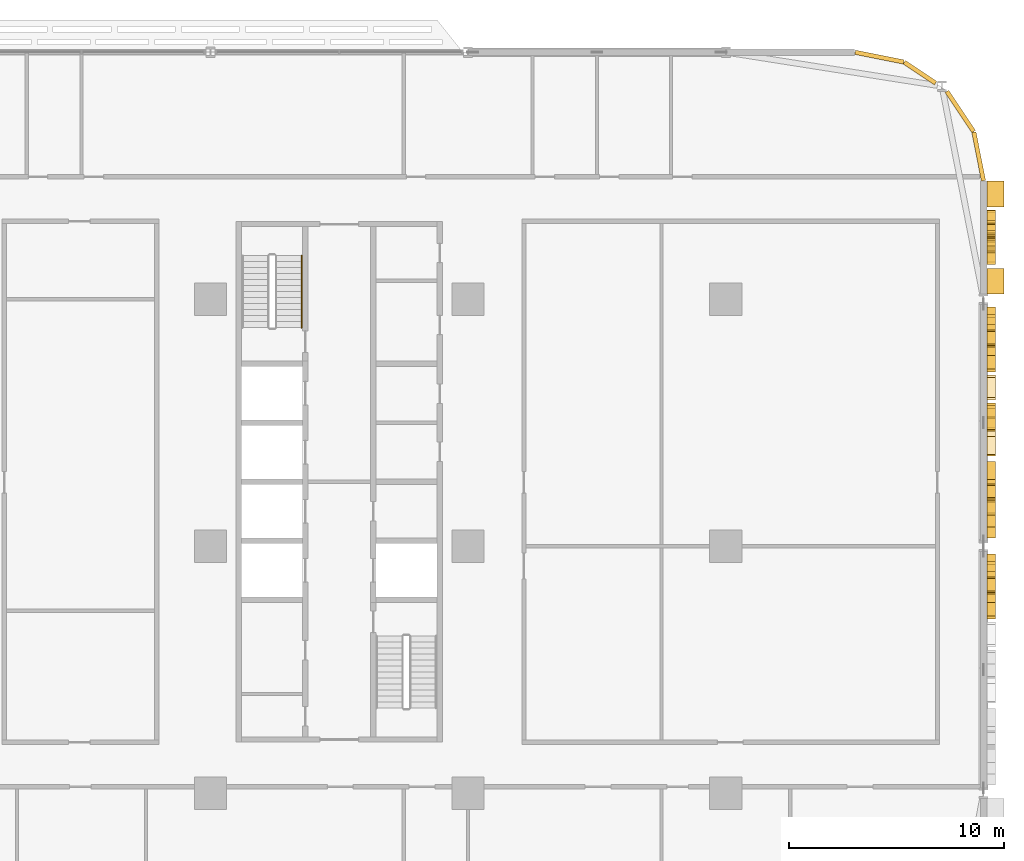
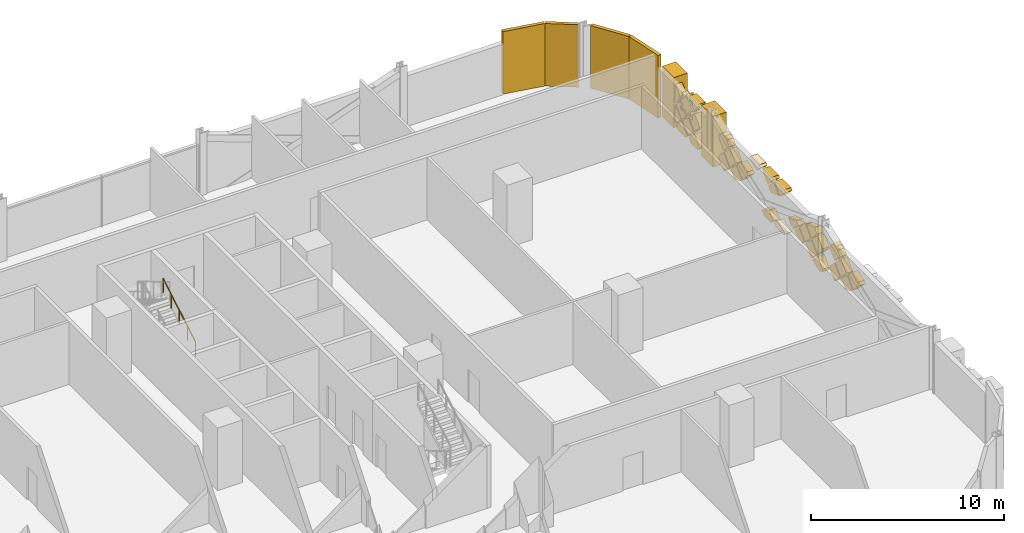
# One storey, part 29 of 29: 38 coverings, 1 railing.
"""IFC4 building model written with IfcOpenShell, lengths in metres."""

from ifc_helpers import new_model, si_unit, direction, frame, origin, origin_2d, place, context, subcontext, project, spatial, polyline, rectangle, circle, outline, extrude, material, layer, layer_set, type_object, element, save


model = new_model("IFC4")

# Units and contexts
model_context = context("Model", 3, precision=1e-05, world=origin(), true_north=direction((0.0, 1.0)))
body_context = subcontext(model_context, "Body", "Model", "MODEL_VIEW")
ifc_project = project(units=[si_unit("LENGTHUNIT", "METRE"), si_unit("AREAUNIT", "SQUARE_METRE"), si_unit("VOLUMEUNIT", "CUBIC_METRE"), si_unit("PLANEANGLEUNIT", "RADIAN"), si_unit("MASSUNIT", "GRAM", prefix="KILO")], contexts=[model_context])

# Site, building, storey
site_placement = place(None, origin())
site = spatial("IfcSite", under=ifc_project, at=site_placement, CompositionType="ELEMENT")
building_placement = place(site_placement, origin())
building = spatial("IfcBuilding", under=site, at=building_placement, Name="Mahtab Terrace Research Tower", CompositionType="ELEMENT")
storey_placement = place(building_placement, frame((0.0, 0.0, 71.800048828125)))
storey = spatial("IfcBuildingStorey", under=building, at=storey_placement, Name="L16", CompositionType="ELEMENT", Elevation=71.800048828125)

# Coverings
ifc_material_1 = material(Name="Black aluminium cladding panel", Category="aluminium")
ifc_layer_1 = layer(ifc_material_1, 0.199951171875)
ifc_layer_set_1 = layer_set([ifc_layer_1], Name="Black metal corner cladding 200")
covering_type_1 = type_object("IfcCoveringType", Name="Black metal corner cladding 200", PredefinedType="CLADDING", material=ifc_layer_set_1)
covering_1_placement = place(storey_placement, frame((52.911376953125, 20.2421875, 0.0), z_axis=(0.0, 0.0, 1.0), x_axis=(-0.555291490808, 0.831655794326, 0.0)))
element("IfcCovering", 1, at=covering_1_placement, inside=storey, type_object=covering_type_1, Name="Corner cladding L16 0", PredefinedType="CLADDING", context=body_context, shape_type="SweptSolid", body=[
    extrude(rectangle(XDim=2.235595703125, YDim=0.199951171875, at=origin_2d()), origin(), (0.0, 0.0, 1.0), 3.9599609375),
])
covering_2_placement = place(storey_placement, frame((51.0380859375, 22.047607421875, 0.0), z_axis=(0.0, 0.0, 1.0), x_axis=(-0.831655794326, 0.555291490808, 0.0)))
element("IfcCovering", 2, at=covering_2_placement, inside=storey, type_object=covering_type_1, Name="Corner cladding L16 1", PredefinedType="CLADDING", context=body_context, shape_type="SweptSolid", body=[
    extrude(rectangle(XDim=1.74462890625, YDim=0.199951171875, at=origin_2d()), origin(), (0.0, 0.0, 1.0), 3.9599609375),
])
for number, where, z_axis, x_axis, name in (
    (3, (49.14794921875, 22.771484375, 0.0), (0.0, 0.0, 1.0), (-0.980760981187, 0.195212442692, 0.0), "Corner cladding L16 2"),
    (4, (53.771484375, 18.14794921875, 0.0), (0.0, 0.0, 1.0), (-0.195212442692, 0.980760981187, 0.0), "Corner cladding L16 39"),
):
    element("IfcCovering", number, at=place(storey_placement, frame(where, z_axis=z_axis, x_axis=x_axis)), inside=storey, type_object=covering_type_1, Name=name, PredefinedType="CLADDING", context=body_context, shape_type="SweptSolid", body=[
        extrude(rectangle(XDim=2.30126953125, YDim=0.199951171875, at=origin_2d()), origin(), (0.0, 0.0, 1.0), 3.9599609375),
    ])
ifc_material_2 = material(Name="Bronze anodised aluminium", Category="aluminium")
ifc_layer_2 = layer(ifc_material_2, 0.39990234375)
ifc_layer_set_2 = layer_set([ifc_layer_2], Name="Mashrabiya relief panel 400")
covering_type_2 = type_object("IfcCoveringType", Name="Mashrabiya relief panel 400", PredefinedType="CLADDING", material=ifc_layer_set_2)
covering_3_placement = place(storey_placement, frame((54.14990234375, -2.23193359375, 1.64990234375), z_axis=(-1.0, 0.0, 0.0), x_axis=(0.0, -0.707255598772, -0.706957932274)))
element("IfcCovering", 5, at=covering_3_placement, inside=storey, type_object=covering_type_2, Name="Mashrabiya lattice cell L16 E36.14", PredefinedType="CLADDING", context=body_context, shape_type="SweptSolid", body=[
    extrude(outline(polyline([(0.0, 0.0), (0.8201817362875763, 0.0), (0.8205270032629295, 0.8201816636150915), (0.6195816236074143, 0.8202239590012534), (0.00011315105885600918, 0.5375806806248061), (0.0, 0.0)])), origin(), (0.0, 0.0, -1.0), 0.39990234375),
])
covering_4_placement = place(storey_placement, frame((54.14990234375, -2.741943359375, 1.0), z_axis=(-1.0, 0.0, 0.0), x_axis=(0.0, 0.707106781187, 0.707106781187)))
element("IfcCovering", 6, at=covering_4_placement, inside=storey, type_object=covering_type_2, Name="Mashrabiya lattice cell L16 E36.15", PredefinedType="CLADDING", context=body_context, shape_type="SweptSolid", body=[
    extrude(outline(polyline([(0.0, 0.0), (0.8200090846279543, 0.0), (0.820181718119455, 0.820181718119455), (0.25169963060790684, 0.8203543516109555), (0.0, 0.2672366448429628), (0.0, 0.0)])), origin(), (0.0, 0.0, -1.0), 0.39990234375),
])
covering_5_placement = place(storey_placement, frame((54.14990234375, -1.511962890625, 2.22998046875), z_axis=(-1.0, 0.0, 0.0), x_axis=(0.0, 0.707106781187, -0.707106781187)))
element("IfcCovering", 7, at=covering_5_placement, inside=storey, type_object=covering_type_2, Name="Mashrabiya lattice cell L16 E36.16", PredefinedType="CLADDING", context=body_context, shape_type="SweptSolid", body=[
    extrude(outline(polyline([(0.0, 0.0), (0.8203543516109556, 0.0), (0.820181718119455, 0.820181718119455), (0.0, 0.8203543516109556), (0.0, 0.0)])), origin(), (0.0, 0.0, -1.0), 0.39990234375),
])
covering_6_placement = place(storey_placement, frame((54.14990234375, -0.862060546875, 0.419921875), z_axis=(-1.0, 0.0, 0.0), x_axis=(0.0, -0.706957932274, 0.707255598772)))
element("IfcCovering", 8, at=covering_6_placement, inside=storey, type_object=covering_type_2, Name="Mashrabiya lattice cell L16 E36.17", PredefinedType="CLADDING", context=body_context, shape_type="SweptSolid", body=[
    extrude(outline(polyline([(0.0, 0.0), (0.8201817362875763, 0.0), (0.8203543334390104, 0.8200090664636573), (0.12895725163063232, 0.8203272266021746), (0.00014556298708318094, 0.6915697516322972), (0.0, 0.0)])), origin(), (0.0, 0.0, -1.0), 0.39990234375),
])
covering_7_placement = place(storey_placement, frame((54.14990234375, -0.862060546875, 1.719970703125), z_axis=(-1.0, 0.0, 0.0), x_axis=(0.0, -0.706957932274, 0.707255598772)))
element("IfcCovering", 9, at=covering_7_placement, inside=storey, type_object=covering_type_2, Name="Mashrabiya lattice cell L16 E36.18", PredefinedType="CLADDING", context=body_context, shape_type="SweptSolid", body=[
    extrude(outline(polyline([(0.0, 0.0), (0.8201817362875763, 0.0), (0.8202614580034177, 0.37875787196237143), (0.6195816236074143, 0.8202239590012534), (0.12878458180671332, 0.8201546294507405), (0.00014556298708318094, 0.6915697516322972), (0.0, 0.0)])), origin(), (0.0, 0.0, -1.0), 0.39990234375),
])
covering_8_placement = place(storey_placement, frame((54.14990234375, 0.373046875, 0.284912109375), z_axis=(-1.0, 0.0, 0.0), x_axis=(0.0, 0.0, 1.0)))
element("IfcCovering", 10, at=covering_8_placement, inside=storey, type_object=covering_type_2, Name="Mashrabiya lattice cell L16 E37.1", PredefinedType="CLADDING", context=body_context, shape_type="SweptSolid", body=[
    extrude(outline(polyline([(0.0, 0.0), (0.130126953125, 0.0), (0.64501953125, 0.514892578125), (0.10498046875, 1.054931640625), (-0.14990234375, 0.373046875), (-0.14990234375, 0.14990234375), (0.0, 0.0)])), origin(), (0.0, 0.0, -1.0), 0.39990234375),
])
covering_9_placement = place(storey_placement, frame((54.14990234375, 0.887939453125, 2.22998046875), z_axis=(-1.0, 0.0, 0.0), x_axis=(0.0, 0.707106781187, -0.707106781187)))
element("IfcCovering", 11, at=covering_9_placement, inside=storey, type_object=covering_type_2, Name="Mashrabiya lattice cell L16 E37.2", PredefinedType="CLADDING", context=body_context, shape_type="SweptSolid", body=[
    extrude(outline(polyline([(0.0, 0.0), (0.8203543516109556, 0.0), (0.820181718119455, 0.820181718119455), (0.0920136509698315, 0.820181718119455), (0.0001726334915005956, 0.728340700641124), (0.0, 0.0)])), origin(), (0.0, 0.0, -1.0), 0.39990234375),
])
covering_10_placement = place(storey_placement, frame((54.14990234375, 0.9580078125, 1.0), z_axis=(-1.0, 0.0, 0.0), x_axis=(0.0, 0.707255598772, 0.706957932274)))
element("IfcCovering", 12, at=covering_10_placement, inside=storey, type_object=covering_type_2, Name="Mashrabiya lattice cell L16 E37.3", PredefinedType="CLADDING", context=body_context, shape_type="SweptSolid", body=[
    extrude(outline(polyline([(0.0, 0.0), (0.8201817362875763, 0.0), (0.8203543334390104, 0.8200090664636573), (0.02554975617613081, 0.8201763585237001), (0.00017027163192012695, 0.8089605232523576), (0.0, 0.0)])), origin(), (0.0, 0.0, -1.0), 0.39990234375),
])
covering_11_placement = place(storey_placement, frame((54.14990234375, 1.5380859375, 1.719970703125), z_axis=(-1.0, 0.0, 0.0), x_axis=(0.0, -0.707106781187, 0.707106781187)))
element("IfcCovering", 13, at=covering_11_placement, inside=storey, type_object=covering_type_2, Name="Mashrabiya lattice cell L16 E37.4", PredefinedType="CLADDING", context=body_context, shape_type="SweptSolid", body=[
    extrude(outline(polyline([(0.0, 0.0), (0.8203543516109556, 0.0), (0.8203543516109555, 0.3590776623212937), (0.0001726334915005956, 0.732483904437139), (0.0, 0.0)])), origin(), (0.0, 0.0, -1.0), 0.39990234375),
])
covering_12_placement = place(storey_placement, frame((54.14990234375, 2.76806640625, 1.64990234375), z_axis=(-1.0, 0.0, 0.0), x_axis=(0.0, -0.707255598772, -0.706957932274)))
element("IfcCovering", 14, at=covering_12_placement, inside=storey, type_object=covering_type_2, Name="Mashrabiya lattice cell L16 E37.5", PredefinedType="CLADDING", context=body_context, shape_type="SweptSolid", body=[
    extrude(outline(polyline([(0.0, 0.0), (0.8201817362875763, 0.0), (0.8205270032629295, 0.8201816636150915), (0.04264050779235257, 0.8203453947233783), (0.00015304825301909464, 0.7271322500936683), (0.0, 0.0)])), origin(), (0.0, 0.0, -1.0), 0.39990234375),
])
covering_13_placement = place(storey_placement, frame((54.14990234375, 2.258056640625, 1.0), z_axis=(-1.0, 0.0, 0.0), x_axis=(0.0, 0.707106781187, 0.707106781187)))
element("IfcCovering", 15, at=covering_13_placement, inside=storey, type_object=covering_type_2, Name="Mashrabiya lattice cell L16 E37.6", PredefinedType="CLADDING", context=body_context, shape_type="SweptSolid", body=[
    extrude(outline(polyline([(0.0, 0.0), (0.8200090846279543, 0.0), (0.820181718119455, 0.6817296579359561), (0.0, 0.30832341582011086), (0.0, 0.0)])), origin(), (0.0, 0.0, -1.0), 0.39990234375),
])
covering_14_placement = place(storey_placement, frame((54.14990234375, 2.907958984375, 1.64990234375), z_axis=(-1.0, 0.0, 0.0), x_axis=(0.0, 0.707106781187, 0.707106781187)))
element("IfcCovering", 16, at=covering_14_placement, inside=storey, type_object=covering_type_2, Name="Mashrabiya lattice cell L16 E37.7", PredefinedType="CLADDING", context=body_context, shape_type="SweptSolid", body=[
    extrude(outline(polyline([(0.0, 0.0), (0.2772493873499989, 0.0), (0.6520366973978492, 0.820181718119455), (0.20370751997073394, 0.8203543516109557), (0.0001726334915006511, 0.7269596327091191), (0.0, 0.0)])), origin(), (0.0, 0.0, -1.0), 0.39990234375),
])
covering_15_placement = place(storey_placement, frame((54.14990234375, 4.259033203125, 0.299072265625), z_axis=(-1.0, 0.0, 0.0), x_axis=(0.0, 0.936540541173, 0.350559288481)))
element("IfcCovering", 17, at=covering_15_placement, inside=storey, type_object=covering_type_2, Name="Mashrabiya lattice cell L16 E37.8", PredefinedType="CLADDING", context=body_context, shape_type="SweptSolid", body=[
    extrude(outline(polyline([(0.0, 0.0), (0.9011827075507265, -5.551115123125783e-17), (1.0563192065454552, 0.341171839774159), (0.7797938525183884, 0.4670662495322195), (0.09613754926979162, 0.2111648158024873), (0.0, 0.0)])), origin(), (0.0, 0.0, -1.0), 0.39990234375),
])
covering_16_placement = place(storey_placement, frame((54.14990234375, 5.367919921875, 2.949951171875), z_axis=(-1.0, 0.0, 0.0), x_axis=(0.0, -0.706957932274, -0.707255598772)))
element("IfcCovering", 18, at=covering_16_placement, inside=storey, type_object=covering_type_2, Name="Mashrabiya lattice cell L16 E37.9", PredefinedType="CLADDING", context=body_context, shape_type="SweptSolid", body=[
    extrude(outline(polyline([(0.0, 0.0), (0.8201817362875763, 0.0), (0.8200090664636573, 0.8203543334390104), (0.653245117368101, 0.8203192326288451), (-3.5100810165361596e-05, 0.16676394909555642), (0.0, 0.0)])), origin(), (0.0, 0.0, -1.0), 0.39990234375),
])
covering_17_placement = place(storey_placement, frame((54.14990234375, 5.43798828125, 2.8798828125), z_axis=(-1.0, 0.0, 0.0), x_axis=(0.0, 0.707255598772, -0.706957932274)))
element("IfcCovering", 19, at=covering_17_placement, inside=storey, type_object=covering_type_2, Name="Mashrabiya lattice cell L16 E37.10", PredefinedType="CLADDING", context=body_context, shape_type="SweptSolid", body=[
    extrude(outline(polyline([(0.0, 0.0), (0.8201817362875763, 0.0), (0.8200962734454347, 0.40603396301526784), (-0.000164021798226055, 0.7792675633719893), (0.0, 0.0)])), origin(), (0.0, 0.0, -1.0), 0.39990234375),
])
covering_18_placement = place(storey_placement, frame((54.14990234375, 5.508056640625, 0.349853515625), z_axis=(-1.0, 0.0, 0.0), x_axis=(0.0, 0.707106781187, 0.707106781187)))
element("IfcCovering", 20, at=covering_18_placement, inside=storey, type_object=covering_type_2, Name="Mashrabiya lattice cell L16 E37.11", PredefinedType="CLADDING", context=body_context, shape_type="SweptSolid", body=[
    extrude(outline(polyline([(0.0, 0.0), (0.6152657637082167, 0.0), (0.8201817181194551, 0.45109131329112523), (0.820181718119455, 0.820181718119455), (0.5161741395868596, 0.8200090846279543), (0.0, 0.30383494504109465), (0.0, 0.0)])), origin(), (0.0, 0.0, -1.0), 0.39990234375),
])
covering_19_placement = place(storey_placement, frame((54.14990234375, 6.66796875, 2.949951171875), z_axis=(-1.0, 0.0, 0.0), x_axis=(0.0, -0.707106781187, -0.707106781187)))
element("IfcCovering", 21, at=covering_19_placement, inside=storey, type_object=covering_type_2, Name="Mashrabiya lattice cell L16 E37.12", PredefinedType="CLADDING", context=body_context, shape_type="SweptSolid", body=[
    extrude(outline(polyline([(0.0, 0.0), (0.8203543516109556, 0.0), (0.820181718119455, 0.820181718119455), (0.6534177653298542, 0.820181718119455), (0.0, 0.16676395278960082), (0.0, 0.0)])), origin(), (0.0, 0.0, -1.0), 0.39990234375),
])
covering_20_placement = place(storey_placement, frame((54.14990234375, 6.80810546875, 2.949951171875), z_axis=(-1.0, 0.0, 0.0), x_axis=(0.0, 0.707106781187, 0.707106781187)))
element("IfcCovering", 22, at=covering_20_placement, inside=storey, type_object=covering_type_2, Name="Mashrabiya lattice cell L16 E37.13", PredefinedType="CLADDING", context=body_context, shape_type="SweptSolid", body=[
    extrude(outline(polyline([(0.0, 0.0), (0.16676395278960082, 0.0), (0.820181718119455, 0.6534177653298542), (0.820181718119455, 0.820181718119455), (0.561231480868522, 0.820181718119455), (0.0, 0.5641662502240326), (0.0, 0.0)])), origin(), (0.0, 0.0, -1.0), 0.39990234375),
])
covering_21_placement = place(storey_placement, frame((54.14990234375, 9.26806640625, 1.64990234375), z_axis=(-1.0, 0.0, 0.0), x_axis=(0.0, -0.707255598772, -0.706957932274)))
element("IfcCovering", 23, at=covering_21_placement, inside=storey, type_object=covering_type_2, Name="Mashrabiya lattice cell L16 E37.14", PredefinedType="CLADDING", context=body_context, shape_type="SweptSolid", body=[
    extrude(outline(polyline([(0.0, 0.0), (0.8201817362875763, 0.0), (0.8205270032629295, 0.8201816636150915), (0.6195816236074143, 0.8202239590012534), (0.00011315105885600918, 0.5375806806248061), (0.0, 0.0)])), origin(), (0.0, 0.0, -1.0), 0.39990234375),
])
covering_22_placement = place(storey_placement, frame((54.14990234375, 8.758056640625, 1.0), z_axis=(-1.0, 0.0, 0.0), x_axis=(0.0, 0.707106781187, 0.707106781187)))
element("IfcCovering", 24, at=covering_22_placement, inside=storey, type_object=covering_type_2, Name="Mashrabiya lattice cell L16 E37.15", PredefinedType="CLADDING", context=body_context, shape_type="SweptSolid", body=[
    extrude(outline(polyline([(0.0, 0.0), (0.8200090846279543, 0.0), (0.820181718119455, 0.820181718119455), (0.25169963060790684, 0.8203543516109555), (0.0, 0.2672366448429628), (0.0, 0.0)])), origin(), (0.0, 0.0, -1.0), 0.39990234375),
])
covering_23_placement = place(storey_placement, frame((54.14990234375, 9.988037109375, 2.22998046875), z_axis=(-1.0, 0.0, 0.0), x_axis=(0.0, 0.707106781187, -0.707106781187)))
element("IfcCovering", 25, at=covering_23_placement, inside=storey, type_object=covering_type_2, Name="Mashrabiya lattice cell L16 E37.16", PredefinedType="CLADDING", context=body_context, shape_type="SweptSolid", body=[
    extrude(outline(polyline([(0.0, 0.0), (0.8203543516109556, 0.0), (0.820181718119455, 0.820181718119455), (0.0, 0.8203543516109556), (0.0, 0.0)])), origin(), (0.0, 0.0, -1.0), 0.39990234375),
])
covering_24_placement = place(storey_placement, frame((54.14990234375, 10.637939453125, 0.419921875), z_axis=(-1.0, 0.0, 0.0), x_axis=(0.0, -0.706957932274, 0.707255598772)))
element("IfcCovering", 26, at=covering_24_placement, inside=storey, type_object=covering_type_2, Name="Mashrabiya lattice cell L16 E37.17", PredefinedType="CLADDING", context=body_context, shape_type="SweptSolid", body=[
    extrude(outline(polyline([(0.0, 0.0), (0.8201817362875763, 0.0), (0.8203543334390104, 0.8200090664636573), (0.12895725163063232, 0.8203272266021746), (0.00014556298708318094, 0.6915697516322972), (0.0, 0.0)])), origin(), (0.0, 0.0, -1.0), 0.39990234375),
])
covering_25_placement = place(storey_placement, frame((54.14990234375, 10.637939453125, 1.719970703125), z_axis=(-1.0, 0.0, 0.0), x_axis=(0.0, -0.706957932274, 0.707255598772)))
element("IfcCovering", 27, at=covering_25_placement, inside=storey, type_object=covering_type_2, Name="Mashrabiya lattice cell L16 E37.18", PredefinedType="CLADDING", context=body_context, shape_type="SweptSolid", body=[
    extrude(outline(polyline([(0.0, 0.0), (0.8201817362875763, 0.0), (0.8202614580034177, 0.37875787196237143), (0.6195816236074143, 0.8202239590012534), (0.12878458180671332, 0.8201546294507405), (0.00014556298708318094, 0.6915697516322972), (0.0, 0.0)])), origin(), (0.0, 0.0, -1.0), 0.39990234375),
])
covering_26_placement = place(storey_placement, frame((54.14990234375, 14.633056640625, 2.600830078125), z_axis=(-1.0, 0.0, 0.0), x_axis=(0.0, 0.924691461768, 0.380717349925)))
element("IfcCovering", 28, at=covering_26_placement, inside=storey, type_object=covering_type_2, Name="Girih star panel L16 E38.1", PredefinedType="CLADDING", context=body_context, shape_type="SweptSolid", body=[
    extrude(outline(polyline([(0.0, 0.0), (0.3783462161056796, 2.7755575615628914e-17), (0.11218136419552407, 0.26875985000170766), (0.37957345233280393, 0.5356816813818673), (0.0017584609457203249, 0.5369564946745361), (0.0014397576225531616, 0.9154355169598647), (-0.26722714380739543, 0.6490449102983011), (-0.5341489751875551, 0.9164369984355809), (-0.5354237884802239, 0.5386220070484974), (-0.9139957593373116, 0.5385290584767383), (-0.6475122041039889, 0.26963640229538155), (-0.9149042922412687, 0.0027145709152219255), (-0.5370893008541852, 0.0014397576225531339), (-0.537089300854185, -0.3769064584831264), (-0.26819664467282844, -0.11042290324980375), (-0.0011818647209096977, -0.37804074613849165), (0.0, 0.0)])), origin(), (0.0, 0.0, -1.0), 0.39990234375),
])
covering_27_placement = place(storey_placement, frame((54.14990234375, 13.10791015625, 0.349853515625), z_axis=(-1.0, 0.0, 0.0), x_axis=(0.0, 0.707106781187, 0.707106781187)))
element("IfcCovering", 29, at=covering_27_placement, inside=storey, type_object=covering_type_2, Name="Mashrabiya lattice cell L16 E38.2", PredefinedType="CLADDING", context=body_context, shape_type="SweptSolid", body=[
    extrude(outline(polyline([(0.0, 0.0), (0.8203543516109556, 0.0), (0.8203543516109556, 0.8203543516109556), (0.5163467730783603, 0.820181718119455), (0.00017263349150062335, 0.3040075785325953), (0.0, 0.0)])), origin(), (0.0, 0.0, -1.0), 0.39990234375),
])
covering_28_placement = place(storey_placement, frame((54.14990234375, 14.26806640625, 1.64990234375), z_axis=(-1.0, 0.0, 0.0), x_axis=(0.0, -0.707255598772, -0.706957932274)))
element("IfcCovering", 30, at=covering_28_placement, inside=storey, type_object=covering_type_2, Name="Mashrabiya lattice cell L16 E38.3", PredefinedType="CLADDING", context=body_context, shape_type="SweptSolid", body=[
    extrude(outline(polyline([(0.0, 0.0), (0.8201817362875763, 0.0), (0.8205270032629295, 0.8201816636150915), (0.038497304088115136, 0.820346266793196), (0.04884027014435216, 0.748873822720556), (0.0001295023679392382, 0.6152657500792578), (9.796250952978647e-05, 0.4654198827760042), (0.20447682638258516, 0.37422637917177076), (0.24417148233050204, 0.3217374415823431), (0.2553810677681505, 0.26666499715776415), (0.2405219428156087, 0.20659166836316845), (0.20443242349436358, 0.16326825723101512), (1.5188549326208833e-05, 0.07216079784880185), (0.0, 0.0)])), origin(), (0.0, 0.0, -1.0), 0.39990234375),
])
covering_29_placement = place(storey_placement, frame((54.14990234375, 13.68798828125, 2.369873046875), z_axis=(-1.0, 0.0, 0.0), x_axis=(0.0, -0.707106781187, 0.707106781187)))
element("IfcCovering", 31, at=covering_29_placement, inside=storey, type_object=covering_type_2, Name="Mashrabiya lattice cell L16 E38.4", PredefinedType="CLADDING", context=body_context, shape_type="SweptSolid", body=[
    extrude(outline(polyline([(0.0, 0.0), (0.8203543516109556, 0.0), (0.820181718119455, 0.16693658628110142), (0.16693658628110142, 0.820181718119455), (0.0, 0.8203543516109556), (0.0, 0.6477208601103336), (0.14345843143701684, 0.5778042960525817), (0.1747050933986294, 0.5310206198559132), (0.1845452024141649, 0.47871267193122474), (0.17332402546662445, 0.4277857919385412), (0.13655309177699196, 0.37823997987786273), (0.00017263349150062335, 0.3140203210396314), (0.0, 0.0)])), origin(), (0.0, 0.0, -1.0), 0.39990234375),
])
covering_30_placement = place(storey_placement, frame((54.14990234375, 14.91796875, 1.0), z_axis=(-1.0, 0.0, 0.0), x_axis=(0.0, -0.707106781187, -0.707106781187)))
element("IfcCovering", 32, at=covering_30_placement, inside=storey, type_object=covering_type_2, Name="Mashrabiya lattice cell L16 E38.5", PredefinedType="CLADDING", context=body_context, shape_type="SweptSolid", body=[
    extrude(outline(polyline([(0.0, 0.0), (0.8203543516109556, 0.0), (0.820181718119455, 0.820181718119455), (0.00845904108353046, 0.820181718119455), (0.050236346026681034, 0.6907065994939885), (0.03538986575762748, 0.630630144451772), (0.0, 0.5883349390341197), (0.0, 0.0)])), origin(), (0.0, 0.0, -1.0), 0.39990234375),
])
covering_31_placement = place(storey_placement, frame((54.14990234375, 14.407958984375, 0.349853515625), z_axis=(-1.0, 0.0, 0.0), x_axis=(0.0, 0.707106781187, 0.707106781187)))
element("IfcCovering", 33, at=covering_31_placement, inside=storey, type_object=covering_type_2, Name="Mashrabiya lattice cell L16 E38.6", PredefinedType="CLADDING", context=body_context, shape_type="SweptSolid", body=[
    extrude(outline(polyline([(0.0, 0.0), (0.8203543516109556, 0.0), (0.8203543516109556, 0.8203543516109556), (0.5163467730783603, 0.820181718119455), (0.00017263349150062335, 0.3040075785325953), (0.0, 0.0)])), origin(), (0.0, 0.0, -1.0), 0.39990234375),
])
covering_32_placement = place(storey_placement, frame((54.14990234375, 15.568115234375, 1.64990234375), z_axis=(-1.0, 0.0, 0.0), x_axis=(0.0, -0.707255598772, -0.706957932274)))
element("IfcCovering", 34, at=covering_32_placement, inside=storey, type_object=covering_type_2, Name="Mashrabiya lattice cell L16 E38.7", PredefinedType="CLADDING", context=body_context, shape_type="SweptSolid", body=[
    extrude(outline(polyline([(0.0, 0.0), (0.8201817362875763, 0.0), (0.8204719175194402, 0.5584692962974274), (0.5580905999790596, 0.6610688190657625), (0.4449614882134841, 0.4036960891787892), (0.39264522044797534, 0.36417403038230645), (0.32825071303383185, 0.3536569410524542), (0.27439233514056194, 0.3692052918509756), (0.22848062078925968, 0.4109922613091833), (0.1211552790059301, 0.6613334195829718), (0.0001286302981214904, 0.6111225463750204), (0.0, 0.0)])), origin(), (0.0, 0.0, -1.0), 0.39990234375),
])
covering_33_placement = place(storey_placement, frame((54.14990234375, 15.637939453125, 0.419921875), z_axis=(-1.0, 0.0, 0.0), x_axis=(0.0, -0.706957932274, 0.707255598772)))
element("IfcCovering", 35, at=covering_33_placement, inside=storey, type_object=covering_type_2, Name="Mashrabiya lattice cell L16 E38.8", PredefinedType="CLADDING", context=body_context, shape_type="SweptSolid", body=[
    extrude(outline(polyline([(0.0, 0.0), (0.8201817362875763, 0.0), (0.8203543334390104, 0.8200090664636573), (0.7822023689987332, 0.8201897302609058), (8.066645814396034e-06, 0.038324634264196196), (0.0, 0.0)])), origin(), (0.0, 0.0, -1.0), 0.39990234375),
])
covering_34_placement = place(storey_placement, frame((54.14990234375, 15.637939453125, 1.719970703125), z_axis=(-1.0, 0.0, 0.0), x_axis=(0.0, -0.70689253888, 0.707320958601)))
element("IfcCovering", 36, at=covering_34_placement, inside=storey, type_object=covering_type_2, Name="Mashrabiya lattice cell L16 E38.9", PredefinedType="CLADDING", context=body_context, shape_type="SweptSolid", body=[
    extrude(outline(polyline([(0.0, 0.0), (0.5698631815922183, 0.0), (0.5636768259304343, 0.09391449777092653), (0.6192877138731068, 0.16951112383861777), (0.7078549143313995, 0.19002767985467833), (0.8202271268637529, 0.14977003261944072), (0.820430145095578, 0.8199332158738362), (0.7822781975219073, 0.8201174070671612), (1.1610007075002482e-05, 0.03832463335457903), (0.0, 0.0)])), origin(), (0.0, 0.0, -1.0), 0.39990234375),
])
ifc_material_3 = material(Name="Glazed ceramic tile cladding", Category="masonry")
ifc_layer_3 = layer(ifc_material_3, 0.800048828125)
ifc_layer_set_3 = layer_set([ifc_layer_3], Name="Pishtaq frame pier 800")
covering_type_3 = type_object("IfcCoveringType", Name="Pishtaq frame pier 800", PredefinedType="CLADDING", material=ifc_layer_set_3)
for number, where, z_axis, x_axis, name in (
    (37, (54.550048828125, 12.337890625, 0.00048828125), (0.0, 0.0, 1.0), (0.0, 1.0, 0.0), "Pishtaq frame pier 38a"),
    (38, (54.550048828125, 16.39990234375, 0.00048828125), (0.0, 0.0, 1.0), (0.0, 1.0, 0.0), "Pishtaq frame pier 38b"),
):
    element("IfcCovering", number, at=place(storey_placement, frame(where, z_axis=z_axis, x_axis=x_axis)), inside=storey, type_object=covering_type_3, Name=name, PredefinedType="CLADDING", context=body_context, shape_type="SweptSolid", body=[
        extrude(rectangle(XDim=1.199951171875, YDim=0.800048828125, at=origin_2d()), origin(), (0.0, 0.0, 1.0), 3.202880859375),
    ])

# Railing
ifc_material_4 = material(Name="Stainless steel AISI 304", Category="steel")
railing_type = type_object("IfcRailingType", Name="Stair handrail 900", PredefinedType="HANDRAIL", material=ifc_material_4)
railing_placement = place(storey_placement, frame((22.25, 10.175048828125, 0.165283203125)))
element("IfcRailing", 39, at=railing_placement, inside=storey, type_object=railing_type, Name="L16 ST3 stair handrail 1", PredefinedType="HANDRAIL", context=body_context, shape_type="SweptSolid", body=[
    extrude(circle(Radius=0.02392578125, at=origin_2d()), frame((0.0, 0.0, 0.8759765625), z_axis=(0.0, 0.861011212953, 0.508585972249), x_axis=(-1.0, 0.0, 0.0)), (0.0, 0.0, 1.0), 3.90234375),
    extrude(circle(Radius=0.02099609375, at=origin_2d()), origin(), (0.0, 0.0, 1.0), 0.851806640625),
    extrude(circle(Radius=0.02099609375, at=origin_2d()), frame((0.0, 0.83984375, 0.49609375)), (0.0, 0.0, 1.0), 0.851806640625),
    extrude(circle(Radius=0.02099609375, at=origin_2d()), frame((0.0, 1.679931640625, 0.9921875)), (0.0, 0.0, 1.0), 0.851806640625),
    extrude(circle(Radius=0.02099609375, at=origin_2d()), frame((0.0, 2.52001953125, 1.488525390625)), (0.0, 0.0, 1.0), 0.851806640625),
    extrude(circle(Radius=0.02099609375, at=origin_2d()), frame((0.0, 3.35986328125, 1.984619140625)), (0.0, 0.0, 1.0), 0.851806640625),
])

save(model, "model.ifc")
